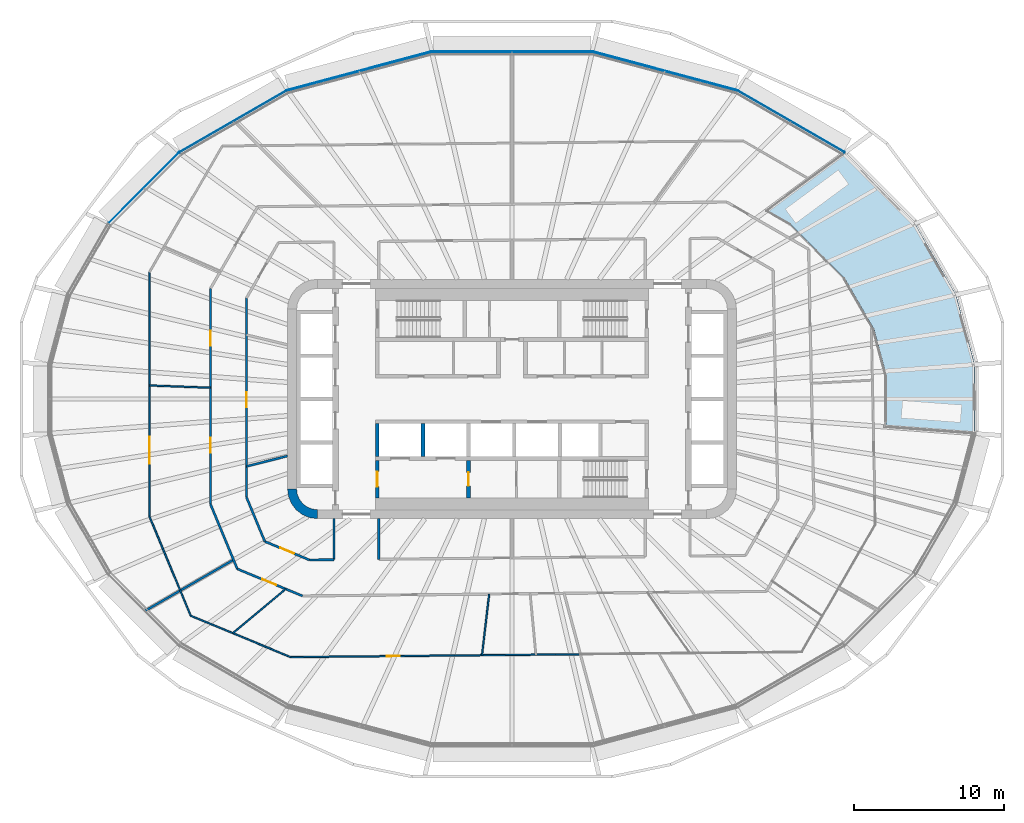
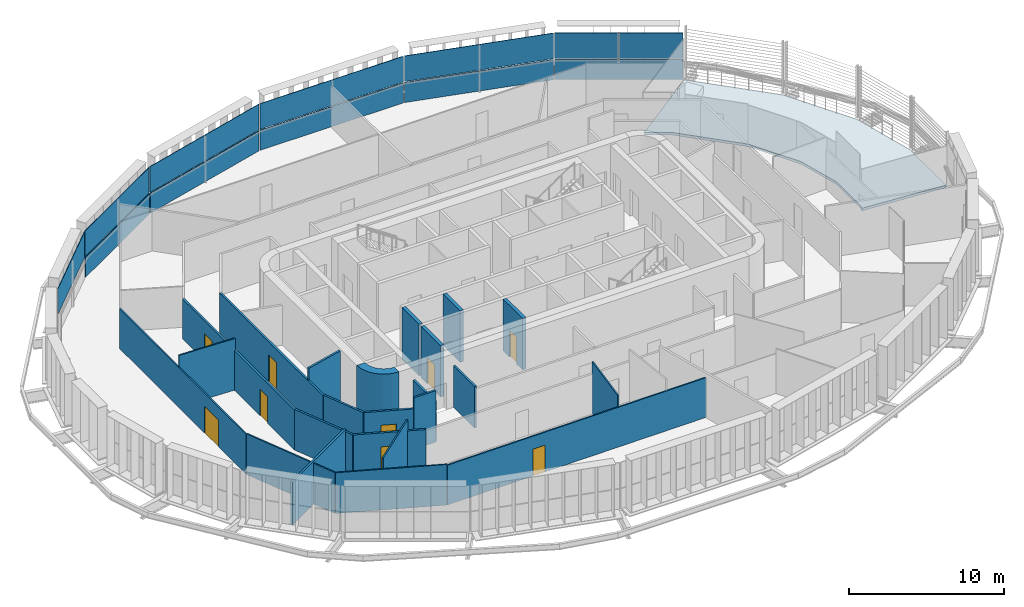
# One storey, part 12 of 24: 23 walls, 11 plates, 9 doors, 1 slab, 9 openings, 6 elements without a shape of their own.
"""IFC4 building model written with IfcOpenShell, lengths in metres."""

from ifc_helpers import new_model, si_unit, direction, frame, frame_2d, origin, place, context, subcontext, project, spatial, polyline, rectangle, outline, extrude, material, layer, layer_set, type_object, element, fill, aggregate, save


model = new_model("IFC4")

# Units and contexts
model_context = context("Model", 3, precision=1e-05, world=origin(), true_north=direction((0.0, 1.0)))
body_context = subcontext(model_context, "Body", "Model", "MODEL_VIEW")
ifc_project = project(units=[si_unit("LENGTHUNIT", "METRE"), si_unit("AREAUNIT", "SQUARE_METRE"), si_unit("VOLUMEUNIT", "CUBIC_METRE"), si_unit("PLANEANGLEUNIT", "RADIAN"), si_unit("MASSUNIT", "GRAM", prefix="KILO")], contexts=[model_context])

# Site, building, storey
site_placement = place(None, origin())
site = spatial("IfcSite", under=ifc_project, at=site_placement, CompositionType="ELEMENT")
building_placement = place(site_placement, origin())
building = spatial("IfcBuilding", under=site, at=building_placement, Name="Sahrelin Media Tower", CompositionType="ELEMENT")
storey_placement = place(building_placement, frame((0.0, 0.0, 67.199951171875)))
storey = spatial("IfcBuildingStorey", under=building, at=storey_placement, Name="L11", CompositionType="ELEMENT", Elevation=67.199951171875)

# Curtain wall, plate
ifc_material_1 = material(Name="Champagne anodised aluminium 6063-T6", Category="aluminium")
ifc_layer_1 = layer(ifc_material_1, 0.14990234375)
ifc_layer_set_1 = layer_set([ifc_layer_1], Name="Tower ribbon curtain wall")
curtain_wall_type = type_object("IfcCurtainWallType", Name="Tower ribbon curtain wall", PredefinedType="NOTDEFINED", material=ifc_layer_set_1)
curtain_wall_1_placement = place(storey_placement, frame((18.6416015625, 18.5498046875, 0.0), z_axis=(0.0, 0.0, 1.0), x_axis=(1.0, 0.0, 0.0)))
curtain_wall_1 = element("IfcCurtainWall", 1, at=curtain_wall_1_placement, inside=storey, type_object=curtain_wall_type, Name="L11:CW:L11-04", PredefinedType="NOTDEFINED")
ifc_material_2 = material(Name="Clear low-iron glazing", Category="glass")
ifc_layer_2 = layer(ifc_material_2, 0.0400390625)
ifc_layer_set_2 = layer_set([ifc_layer_2], Name="Glazing panel 40 mm CW1")
plate_type_1 = type_object("IfcPlateType", Name="Glazing panel 40 mm CW1", PredefinedType="CURTAIN_PANEL", material=ifc_layer_set_2)
plate_1_placement = place(storey_placement, frame((22.219482421875, 16.50732421875, 1.630126953125), z_axis=(0.50001741567, 0.866015348609, 0.0), x_axis=(-0.866015348609, 0.50001741567, 0.0)))
plate_1 = element("IfcPlate", 2, at=plate_1_placement, type_object=plate_type_1, Name="L11:CWP2:L11-04", PredefinedType="CURTAIN_PANEL", context=body_context, shape_type="SweptSolid", body=[
    extrude(outline(polyline([(0.0, 0.0), (8.239501953125, 0.0), (8.239501953125, 2.0185546875), (0.0, 2.0185546875), (0.0, 0.0)])), origin(), (0.0, 0.0, -1.0), 0.0400390625),
])

curtain_wall_2_placement = place(storey_placement, frame((10.200439453125, 21.928955078125, 0.0), z_axis=(0.0, 0.0, 1.0), x_axis=(1.0, 0.0, 0.0)))
curtain_wall_2 = element("IfcCurtainWall", 3, at=curtain_wall_2_placement, inside=storey, type_object=curtain_wall_type, Name="L11:CW:L11-05", PredefinedType="NOTDEFINED")
plate_2_placement = place(storey_placement, frame((14.987548828125, 20.6669921875, 1.630126953125), z_axis=(0.258810447315, 0.965928130018, 0.0), x_axis=(-0.965928130018, 0.258810447315, 0.0)))
plate_2 = element("IfcPlate", 4, at=plate_2_placement, type_object=plate_type_1, Name="L11:CWP2:L11-05", PredefinedType="CURTAIN_PANEL", context=body_context, shape_type="SweptSolid", body=[
    extrude(outline(polyline([(0.0, 0.0), (9.901123046875, 0.0), (9.901123046875, 2.0185546875), (0.0, 2.0185546875), (0.0, 0.0)])), origin(), (0.0, 0.0, -1.0), 0.0400390625),
])

curtain_wall_3_placement = place(storey_placement, frame((0.0, 23.22314453125, 0.0), z_axis=(0.0, 0.0, 1.0), x_axis=(1.0, 0.0, 0.0)))
curtain_wall_3 = element("IfcCurtainWall", 5, at=curtain_wall_3_placement, inside=storey, type_object=curtain_wall_type, Name="L11:CW:L11-06", PredefinedType="NOTDEFINED")
plate_3_placement = place(storey_placement, frame((5.3203125, 23.2431640625, 1.630126953125), z_axis=(0.0, 1.0, 0.0), x_axis=(-1.0, 0.0, 0.0)))
plate_3 = element("IfcPlate", 6, at=plate_3_placement, type_object=plate_type_1, Name="L11:CWP2:L11-06", PredefinedType="CURTAIN_PANEL", context=body_context, shape_type="SweptSolid", body=[
    extrude(outline(polyline([(0.0, 0.0), (10.640625, 0.0), (10.640625, 2.0185546875), (0.0, 2.0185546875), (0.0, 0.0)])), origin(), (0.0, 0.0, -1.0), 0.0400390625),
])

curtain_wall_4_placement = place(storey_placement, frame((-10.200439453125, 21.928955078125, 0.0), z_axis=(0.0, 0.0, 1.0), x_axis=(1.0, 0.0, 0.0)))
curtain_wall_4 = element("IfcCurtainWall", 7, at=curtain_wall_4_placement, inside=storey, type_object=curtain_wall_type, Name="L11:CW:L11-07", PredefinedType="NOTDEFINED")
plate_4_placement = place(storey_placement, frame((-5.423828125, 23.2294921875, 1.630126953125), z_axis=(-0.258810447315, 0.965928130018, 0.0), x_axis=(-0.965928130018, -0.258810447315, 0.0)))
plate_4 = element("IfcPlate", 8, at=plate_4_placement, type_object=plate_type_1, Name="L11:CWP2:L11-07", PredefinedType="CURTAIN_PANEL", context=body_context, shape_type="SweptSolid", body=[
    extrude(outline(polyline([(0.0, 0.0), (9.901123046875, 0.0), (9.901123046875, 2.0185546875), (0.0, 2.0185546875), (0.0, 0.0)])), origin(), (0.0, 0.0, -1.0), 0.0400390625),
])

curtain_wall_5_placement = place(storey_placement, frame((-18.6416015625, 18.5498046875, 0.0), z_axis=(0.0, 0.0, 1.0), x_axis=(1.0, 0.0, 0.0)))
curtain_wall_5 = element("IfcCurtainWall", 9, at=curtain_wall_5_placement, inside=storey, type_object=curtain_wall_type, Name="L11:CW:L11-08", PredefinedType="NOTDEFINED")
plate_5_placement = place(storey_placement, frame((-15.083984375, 20.627197265625, 1.630126953125), z_axis=(-0.50001741567, 0.866015348609, 0.0), x_axis=(-0.866015348609, -0.50001741567, 0.0)))
plate_5 = element("IfcPlate", 10, at=plate_5_placement, type_object=plate_type_1, Name="L11:CWP2:L11-08", PredefinedType="CURTAIN_PANEL", context=body_context, shape_type="SweptSolid", body=[
    extrude(outline(polyline([(0.0, 0.0), (8.239501953125, 0.0), (8.239501953125, 2.0185546875), (0.0, 2.0185546875), (0.0, 0.0)])), origin(), (0.0, 0.0, -1.0), 0.0400390625),
])

curtain_wall_6_placement = place(storey_placement, frame((-24.616455078125, 14.101318359375, 0.0), z_axis=(0.0, 0.0, 1.0), x_axis=(1.0, 0.0, 0.0)))
curtain_wall_6 = element("IfcCurtainWall", 11, at=curtain_wall_6_placement, inside=storey, type_object=curtain_wall_type, Name="L11:CW:L11-09", PredefinedType="NOTDEFINED")
plate_6_placement = place(storey_placement, frame((-22.30224609375, 16.44384765625, 1.630126953125), z_axis=(-0.707106781187, 0.707106781187, 0.0), x_axis=(-0.707106781187, -0.707106781187, 0.0)))
plate_6 = element("IfcPlate", 12, at=plate_6_placement, type_object=plate_type_1, Name="L11:CWP2:L11-09", PredefinedType="CURTAIN_PANEL", context=body_context, shape_type="SweptSolid", body=[
    extrude(outline(polyline([(0.0, 0.0), (6.585205078125, 0.0), (6.585205078125, 2.0185546875), (0.0, 2.0185546875), (0.0, 0.0)])), origin(), (0.0, 0.0, -1.0), 0.0400390625),
])
aggregate(curtain_wall_6, [plate_6])

# Slab
ifc_material_3 = material(Name="Concrete C40/50", Category="concrete")
ifc_layer_3 = layer(ifc_material_3, 0.199951171875)
ifc_layer_set_3 = layer_set([ifc_layer_3], Name="Sky garden terrace slab")
slab_type = type_object("IfcSlabType", Name="Sky garden terrace slab", PredefinedType="FLOOR", material=ifc_layer_set_3)
slab_placement = place(storey_placement, frame((0.0, 0.0, -0.199951171875)))
element("IfcSlab", 13, at=slab_placement, inside=storey, type_object=slab_type, Name="Sky garden terrace G1", PredefinedType="FLOOR", context=body_context, shape_type="SweptSolid", body=[
    extrude(outline(polyline([(29.682861328125, 6.956298828125), (30.9296875, 2.302734375), (30.9296875, -2.25537109375), (24.95361328125, -1.809814453125), (25.02978515625, -1.52587890625), (25.02978515625, 1.52587890625), (24.18505859375, 4.678955078125), (22.21875, 8.08447265625), (18.599365234375, 11.703857421875), (17.084228515625, 12.57861328125), (22.247802734375, 16.3994140625), (26.93994140625, 11.70703125), (29.682861328125, 6.956298828125)])), origin(), (0.0, 0.0, 1.0), 0.199951171875),
])

# Plate
ifc_material_4 = material(Name="Insulated spandrel panel")
ifc_layer_4 = layer(ifc_material_4, 0.06005859375)
ifc_layer_set_4 = layer_set([ifc_layer_4], Name="Spandrel panel 60 mm CW1")
plate_type_2 = type_object("IfcPlateType", Name="Spandrel panel 60 mm CW1", PredefinedType="SHEET", material=ifc_layer_set_4)
plate_7_placement = place(storey_placement, frame((22.219482421875, 16.50732421875, 0.0), z_axis=(0.50001741567, 0.866015348609, 0.0), x_axis=(-0.866015348609, 0.50001741567, 0.0)))
plate_7 = element("IfcPlate", 14, at=plate_7_placement, type_object=plate_type_2, Name="L11:CWP1:L11-04", PredefinedType="SHEET", context=body_context, shape_type="SweptSolid", body=[
    extrude(outline(polyline([(0.0, 0.0), (8.239501953125, 0.0), (8.239501953125, 1.570068359375), (0.0, 1.570068359375), (0.0, 0.0)])), origin(), (0.0, 0.0, -1.0), 0.06005859375),
])

aggregate(curtain_wall_1, [plate_7, plate_1])

plate_8_placement = place(storey_placement, frame((14.987548828125, 20.6669921875, 0.0), z_axis=(0.258810447315, 0.965928130018, 0.0), x_axis=(-0.965928130018, 0.258810447315, 0.0)))
plate_8 = element("IfcPlate", 15, at=plate_8_placement, type_object=plate_type_2, Name="L11:CWP1:L11-05", PredefinedType="SHEET", context=body_context, shape_type="SweptSolid", body=[
    extrude(outline(polyline([(0.0, 0.0), (9.901123046875, 0.0), (9.901123046875, 1.570068359375), (0.0, 1.570068359375), (0.0, 0.0)])), origin(), (0.0, 0.0, -1.0), 0.06005859375),
])

aggregate(curtain_wall_2, [plate_8, plate_2])

plate_9_placement = place(storey_placement, frame((5.3203125, 23.2431640625, 0.0), z_axis=(0.0, 1.0, 0.0), x_axis=(-1.0, 0.0, 0.0)))
plate_9 = element("IfcPlate", 16, at=plate_9_placement, type_object=plate_type_2, Name="L11:CWP1:L11-06", PredefinedType="SHEET", context=body_context, shape_type="SweptSolid", body=[
    extrude(outline(polyline([(0.0, 0.0), (10.640625, 0.0), (10.640625, 1.570068359375), (0.0, 1.570068359375), (0.0, 0.0)])), origin(), (0.0, 0.0, -1.0), 0.06005859375),
])

aggregate(curtain_wall_3, [plate_9, plate_3])

plate_10_placement = place(storey_placement, frame((-5.423828125, 23.2294921875, 0.0), z_axis=(-0.258810447315, 0.965928130018, 0.0), x_axis=(-0.965928130018, -0.258810447315, 0.0)))
plate_10 = element("IfcPlate", 17, at=plate_10_placement, type_object=plate_type_2, Name="L11:CWP1:L11-07", PredefinedType="SHEET", context=body_context, shape_type="SweptSolid", body=[
    extrude(outline(polyline([(0.0, 0.0), (9.901123046875, 0.0), (9.901123046875, 1.570068359375), (0.0, 1.570068359375), (0.0, 0.0)])), origin(), (0.0, 0.0, -1.0), 0.06005859375),
])

aggregate(curtain_wall_4, [plate_10, plate_4])

plate_11_placement = place(storey_placement, frame((-15.083984375, 20.627197265625, 0.0), z_axis=(-0.50001741567, 0.866015348609, 0.0), x_axis=(-0.866015348609, -0.50001741567, 0.0)))
plate_11 = element("IfcPlate", 18, at=plate_11_placement, type_object=plate_type_2, Name="L11:CWP1:L11-08", PredefinedType="SHEET", context=body_context, shape_type="SweptSolid", body=[
    extrude(outline(polyline([(0.0, 0.0), (8.239501953125, 0.0), (8.239501953125, 1.570068359375), (0.0, 1.570068359375), (0.0, 0.0)])), origin(), (0.0, 0.0, -1.0), 0.06005859375),
])

aggregate(curtain_wall_5, [plate_11, plate_5])

# Walls
ifc_material_5 = material(Name="Concrete C60/75", Category="concrete")
ifc_layer_5 = layer(ifc_material_5, 0.60009765625)
ifc_layer_set_5 = layer_set([ifc_layer_5], Name="Core wall 600")
wall_type_1 = type_object("IfcWallType", Name="Core wall 600", PredefinedType="SHEAR", material=ifc_layer_set_5)
wall_1_placement = place(storey_placement, origin())
element("IfcWall", 19, at=wall_1_placement, inside=storey, type_object=wall_type_1, Name="Core wall corner SW L11", PredefinedType="SHEAR", context=body_context, shape_type="SweptSolid", body=[
    extrude(outline(polyline([(-13.0, -8.0), (-13.0, -7.394775390625), (-13.361083984375, -7.347412109375), (-13.697509765625, -7.2080078125), (-13.986328125, -6.986328125), (-14.2080078125, -6.697509765625), (-14.347412109375, -6.361083984375), (-14.394775390625, -6.0), (-15.0, -6.0), (-14.931884765625, -6.517578125), (-14.732177734375, -7.0), (-14.414306640625, -7.414306640625), (-14.0, -7.732177734375), (-13.517578125, -7.931884765625), (-13.0, -8.0)])), origin(), (0.0, 0.0, 1.0), 4.199951171875),
])
ifc_material_6 = material(Name="Fire-rated gypsum board partition")
ifc_layer_6 = layer(ifc_material_6, 0.14990234375)
ifc_layer_set_6 = layer_set([ifc_layer_6], Name="Fire-rated partition 150")
wall_type_2 = type_object("IfcWallType", Name="Fire-rated partition 150", PredefinedType="PARTITIONING", material=ifc_layer_set_6)
wall_2_placement = place(storey_placement, frame((-20.14990234375, -7.02490234375, 0.0), z_axis=(0.0, 0.0, 1.0), x_axis=(0.382713655067, -0.923867013279, 0.0)))
element("IfcWall", 20, at=wall_2_placement, inside=storey, type_object=wall_type_2, Name="Wall", PredefinedType="PARTITIONING", context=body_context, shape_type="SweptSolid", body=[
    extrude(rectangle(XDim=4.6875, YDim=0.14990234375, at=frame_2d((2.34375, 0.0))), origin(), (0.0, 0.0, 1.0), 3.195068359375),
])
wall_3_placement = place(storey_placement, frame((-17.75, -6.547119140625, 0.0), z_axis=(0.0, 0.0, 1.0), x_axis=(0.382760687394, -0.923847528646, 0.0)))
element("IfcWall", 21, at=wall_3_placement, inside=storey, type_object=wall_type_2, Name="Wall", PredefinedType="PARTITIONING", context=body_context, shape_type="SweptSolid", body=[
    extrude(rectangle(XDim=3.216552734375, YDim=0.14990234375, at=frame_2d((1.6083984375, 0.0))), origin(), (0.0, 0.0, 1.0), 3.195068359375),
])

# Wall, opening, door
wall_4_placement = place(storey_placement, frame((-18.35498046875, -11.35498046875, 0.0), z_axis=(0.0, 0.0, 1.0), x_axis=(0.923864073191, -0.382720752334, 0.0)))
wall_4 = element("IfcWall", 22, at=wall_4_placement, inside=storey, type_object=wall_type_2, Name="Wall", PredefinedType="PARTITIONING", context=body_context, shape_type="SweptSolid", body=[
    extrude(rectangle(XDim=4.714111328125, YDim=0.14990234375, at=frame_2d((2.35693359375, 0.0))), origin(), (0.0, 0.0, 1.0), 3.195068359375),
])
opening_1_placement = place(wall_4_placement, frame((1.810302734375, 0.0, 0.0)))
opening_1 = element("IfcOpeningElement", 23, at=opening_1_placement, cuts=wall_4, Name="Opening L11-D37", PredefinedType="OPENING", context=body_context, shape_type="SweptSolid", body=[
    extrude(rectangle(XDim=1.0, YDim=2.10009765625, at=frame_2d((0.5, 1.050048828125))), frame((0.0, 0.074951171875, 0.0), z_axis=(0.0, -1.0, 0.0), x_axis=(1.0, 0.0, 0.0)), (0.0, 0.0, 1.0), 0.14990234375),
])
ifc_material_7 = material(Name="Steel fire door leaf", Category="steel")
door_type_1 = type_object("IfcDoorType", Name="Fire door 1000 x 2100 EI 60", OperationType="NOTDEFINED", PredefinedType="DOOR", material=ifc_material_7)
door_1_placement = place(opening_1_placement, origin())
door_1 = element("IfcDoor", 24, at=door_1_placement, inside=storey, type_object=door_type_1, Name="Fire door", OperationType="SINGLE_SWING_LEFT", OverallHeight=2.10009765625, OverallWidth=1.0, PredefinedType="DOOR", context=body_context, shape_type="SweptSolid", body=[
    extrude(rectangle(XDim=1.0, YDim=2.10009765625, at=frame_2d((0.5, 1.050048828125))), frame((0.0, 0.02490234375, 0.0), z_axis=(0.0, -1.0, 0.0), x_axis=(1.0, 0.0, 0.0)), (0.0, 0.0, 1.0), 0.050048828125),
])
fill(opening_1, door_1)

wall_5_placement = place(storey_placement, frame((-16.51904296875, -9.51904296875, 0.0), z_axis=(0.0, 0.0, 1.0), x_axis=(0.92385749043, -0.382736642322, 0.0)))
wall_5 = element("IfcWall", 25, at=wall_5_placement, inside=storey, type_object=wall_type_2, Name="Wall", PredefinedType="PARTITIONING", context=body_context, shape_type="SweptSolid", body=[
    extrude(rectangle(XDim=3.23095703125, YDim=0.14990234375, at=frame_2d((1.615478515625, 0.0))), origin(), (0.0, 0.0, 1.0), 3.195068359375),
])
opening_2_placement = place(wall_5_placement, frame((1.11279296875, 0.0, 0.0)))
opening_2 = element("IfcOpeningElement", 26, at=opening_2_placement, cuts=wall_5, Name="Opening L11-D32", PredefinedType="OPENING", context=body_context, shape_type="SweptSolid", body=[
    extrude(rectangle(XDim=1.0, YDim=2.10009765625, at=frame_2d((0.5, 1.050048828125))), frame((0.0, 0.074951171875, 0.0), z_axis=(0.0, -1.0, 0.0), x_axis=(1.0, 0.0, 0.0)), (0.0, 0.0, 1.0), 0.14990234375),
])
door_2_placement = place(opening_2_placement, origin())
door_2 = element("IfcDoor", 27, at=door_2_placement, inside=storey, type_object=door_type_1, Name="Fire door", OperationType="SINGLE_SWING_RIGHT", OverallHeight=2.10009765625, OverallWidth=1.0, PredefinedType="DOOR", context=body_context, shape_type="SweptSolid", body=[
    extrude(rectangle(XDim=1.0, YDim=2.10009765625, at=frame_2d((0.5, 1.050048828125))), frame((0.0, 0.02490234375, 0.0), z_axis=(0.0, -1.0, 0.0), x_axis=(1.0, 0.0, 0.0)), (0.0, 0.0, 1.0), 0.050048828125),
])
fill(opening_2, door_2)

# Walls
wall_6_placement = place(storey_placement, frame((-13.533935546875, -10.7548828125, 0.0), z_axis=(0.0, 0.0, 1.0), x_axis=(0.999951383403, 0.009860569446, 0.0)))
element("IfcWall", 28, at=wall_6_placement, inside=storey, type_object=wall_type_2, Name="Wall", PredefinedType="PARTITIONING", context=body_context, shape_type="SweptSolid", body=[
    extrude(rectangle(XDim=1.634033203125, YDim=0.14990234375, at=frame_2d((0.81689453125, 0.0))), origin(), (0.0, 0.0, 1.0), 4.050048828125),
])
wall_7_placement = place(storey_placement, frame((-17.75, -4.5048828125, 0.0), z_axis=(0.0, 0.0, 1.0), x_axis=(0.969332355751, 0.24575350271, 0.0)))
element("IfcWall", 29, at=wall_7_placement, inside=storey, type_object=wall_type_2, Name="Wall", PredefinedType="PARTITIONING", context=body_context, shape_type="SweptSolid", body=[
    extrude(rectangle(XDim=2.837158203125, YDim=0.14990234375, at=frame_2d((1.41845703125, 0.0))), origin(), (0.0, 0.0, 1.0), 4.050048828125),
])
wall_8_placement = place(storey_placement, frame((-24.5458984375, -14.172119140625, 0.0), z_axis=(0.0, 0.0, 1.0), x_axis=(0.866030233461, 0.499991634662, 0.0)))
element("IfcWall", 30, at=wall_8_placement, inside=storey, type_object=wall_type_2, Name="Wall", PredefinedType="PARTITIONING", context=body_context, shape_type="SweptSolid", body=[
    extrude(rectangle(XDim=6.8564453125, YDim=0.14990234375, at=frame_2d((3.42822265625, 0.0))), origin(), (0.0, 0.0, 1.0), 3.352294921875),
])
wall_9_placement = place(storey_placement, frame((-8.89990234375, -10.708984375, 0.0), z_axis=(0.0, 0.0, 1.0), x_axis=(0.0, 1.0, 0.0)))
element("IfcWall", 31, at=wall_9_placement, inside=storey, type_object=wall_type_2, Name="Wall", PredefinedType="PARTITIONING", context=body_context, shape_type="SweptSolid", body=[
    extrude(rectangle(XDim=2.708984375, YDim=0.14990234375, at=frame_2d((1.3544921875, 0.0))), origin(), (0.0, 0.0, 1.0), 3.276123046875),
])
wall_10_placement = place(storey_placement, frame((-11.89990234375, -10.739013671875, 0.0), z_axis=(0.0, 0.0, 1.0), x_axis=(0.0, 1.0, 0.0)))
element("IfcWall", 32, at=wall_10_placement, inside=storey, type_object=wall_type_2, Name="Wall", PredefinedType="PARTITIONING", context=body_context, shape_type="SweptSolid", body=[
    extrude(rectangle(XDim=2.739013671875, YDim=0.14990234375, at=frame_2d((1.36962890625, 0.0))), origin(), (0.0, 0.0, 1.0), 3.195068359375),
])

# Wall, opening, door
wall_11_placement = place(storey_placement, frame((-17.75, -6.547119140625, 0.0), z_axis=(0.0, 0.0, 1.0), x_axis=(0.0, 1.0, 0.0)))
wall_11 = element("IfcWall", 33, at=wall_11_placement, inside=storey, type_object=wall_type_2, Name="Wall", PredefinedType="PARTITIONING", context=body_context, shape_type="SweptSolid", body=[
    extrude(rectangle(XDim=13.2841796875, YDim=0.14990234375, at=frame_2d((6.64208984375, 0.0))), origin(), (0.0, 0.0, 1.0), 3.126953125),
])
opening_3_placement = place(wall_11_placement, frame((5.9892578125, 0.0, 0.0)))
opening_3 = element("IfcOpeningElement", 34, at=opening_3_placement, cuts=wall_11, Name="Opening L11-D31", PredefinedType="OPENING", context=body_context, shape_type="SweptSolid", body=[
    extrude(rectangle(XDim=1.0, YDim=2.10009765625, at=frame_2d((0.5, 1.050048828125))), frame((0.0, 0.074951171875, 0.0), z_axis=(0.0, -1.0, 0.0), x_axis=(1.0, 0.0, 0.0)), (0.0, 0.0, 1.0), 0.14990234375),
])
door_3_placement = place(opening_3_placement, origin())
door_3 = element("IfcDoor", 35, at=door_3_placement, inside=storey, type_object=door_type_1, Name="Fire door", OperationType="SINGLE_SWING_LEFT", OverallHeight=2.10009765625, OverallWidth=1.0, PredefinedType="DOOR", context=body_context, shape_type="SweptSolid", body=[
    extrude(rectangle(XDim=1.0, YDim=2.10009765625, at=frame_2d((0.5, 1.050048828125))), frame((0.0, 0.02490234375, 0.0), z_axis=(0.0, -1.0, 0.0), x_axis=(1.0, 0.0, 0.0)), (0.0, 0.0, 1.0), 0.050048828125),
])
fill(opening_3, door_3)

# Wall, openings, doors
wall_12_placement = place(storey_placement, frame((-20.14990234375, -7.02490234375, 0.0), z_axis=(0.0, 0.0, 1.0), x_axis=(0.0, 1.0, 0.0)))
wall_12 = element("IfcWall", 36, at=wall_12_placement, inside=storey, type_object=wall_type_2, Name="Wall", PredefinedType="PARTITIONING", context=body_context, shape_type="SweptSolid", body=[
    extrude(rectangle(XDim=14.40478515625, YDim=0.14990234375, at=frame_2d((7.202392578125, 0.0))), origin(), (0.0, 0.0, 1.0), 3.126953125),
])
opening_4_placement = place(wall_12_placement, frame((10.592041015625, 0.0, 0.0)))
opening_4 = element("IfcOpeningElement", 37, at=opening_4_placement, cuts=wall_12, Name="Opening L11-D34", PredefinedType="OPENING", context=body_context, shape_type="SweptSolid", body=[
    extrude(rectangle(XDim=1.0, YDim=2.10009765625, at=frame_2d((0.5, 1.050048828125))), frame((0.0, 0.074951171875, 0.0), z_axis=(0.0, -1.0, 0.0), x_axis=(1.0, 0.0, 0.0)), (0.0, 0.0, 1.0), 0.14990234375),
])
opening_5_placement = place(wall_12_placement, frame((3.440185546875, 0.0, 0.0)))
opening_5 = element("IfcOpeningElement", 38, at=opening_5_placement, cuts=wall_12, Name="Opening L11-D35", PredefinedType="OPENING", context=body_context, shape_type="SweptSolid", body=[
    extrude(rectangle(XDim=1.0, YDim=2.10009765625, at=frame_2d((0.5, 1.050048828125))), frame((0.0, 0.074951171875, 0.0), z_axis=(0.0, -1.0, 0.0), x_axis=(1.0, 0.0, 0.0)), (0.0, 0.0, 1.0), 0.14990234375),
])
door_4_placement = place(opening_4_placement, origin())
door_4 = element("IfcDoor", 39, at=door_4_placement, inside=storey, type_object=door_type_1, Name="Fire door", OperationType="SINGLE_SWING_LEFT", OverallHeight=2.10009765625, OverallWidth=1.0, PredefinedType="DOOR", context=body_context, shape_type="SweptSolid", body=[
    extrude(rectangle(XDim=1.0, YDim=2.10009765625, at=frame_2d((0.5, 1.050048828125))), frame((0.0, 0.02490234375, 0.0), z_axis=(0.0, -1.0, 0.0), x_axis=(1.0, 0.0, 0.0)), (0.0, 0.0, 1.0), 0.050048828125),
])
fill(opening_4, door_4)
door_5_placement = place(opening_5_placement, origin())
door_5 = element("IfcDoor", 40, at=door_5_placement, inside=storey, type_object=door_type_1, Name="Fire door", OperationType="SINGLE_SWING_RIGHT", OverallHeight=2.10009765625, OverallWidth=1.0, PredefinedType="DOOR", context=body_context, shape_type="SweptSolid", body=[
    extrude(rectangle(XDim=1.0, YDim=2.10009765625, at=frame_2d((0.5, 1.050048828125))), frame((0.0, 0.02490234375, 0.0), z_axis=(0.0, -1.0, 0.0), x_axis=(1.0, 0.0, 0.0)), (0.0, 0.0, 1.0), 0.050048828125),
])
fill(opening_5, door_5)

# Wall, opening, door
ifc_layer_7 = layer(ifc_material_6, 0.25)
ifc_layer_set_7 = layer_set([ifc_layer_7], Name="Firefighting lobby wall 250")
wall_type_3 = type_object("IfcWallType", Name="Firefighting lobby wall 250", PredefinedType="PARTITIONING", material=ifc_layer_set_7)
wall_13_placement = place(storey_placement, frame((-9.0, -6.60009765625, 0.0), z_axis=(0.0, 0.0, 1.0), x_axis=(0.0, 1.0, 0.0)))
wall_13 = element("IfcWall", 41, at=wall_13_placement, inside=storey, type_object=wall_type_3, Name="Core wall", PredefinedType="PARTITIONING", context=body_context, shape_type="SweptSolid", body=[
    extrude(rectangle(XDim=2.5, YDim=0.25, at=frame_2d((1.25, 0.0))), origin(), (0.0, 0.0, 1.0), 4.050048828125),
])
opening_6_placement = place(wall_13_placement, frame((0.75, 0.0, 0.0)))
opening_6 = element("IfcOpeningElement", 42, at=opening_6_placement, cuts=wall_13, Name="Opening L11-D04", PredefinedType="OPENING", context=body_context, shape_type="SweptSolid", body=[
    extrude(rectangle(XDim=1.0, YDim=2.10009765625, at=frame_2d((0.5, 1.050048828125))), frame((0.0, 0.125, 0.0), z_axis=(0.0, -1.0, 0.0), x_axis=(1.0, 0.0, 0.0)), (0.0, 0.0, 1.0), 0.25),
])
door_type_2 = type_object("IfcDoorType", Name="Firefighting lobby door 1000 x 2100 EI 120", OperationType="NOTDEFINED", PredefinedType="DOOR", material=ifc_material_7)
door_6_placement = place(opening_6_placement, origin())
door_6 = element("IfcDoor", 43, at=door_6_placement, inside=storey, type_object=door_type_2, Name="Firefighting lobby door", OperationType="SINGLE_SWING_LEFT", OverallHeight=2.10009765625, OverallWidth=1.0, PredefinedType="DOOR", context=body_context, shape_type="SweptSolid", body=[
    extrude(rectangle(XDim=1.0, YDim=2.10009765625, at=frame_2d((0.5, 1.050048828125))), frame((0.0, 0.02490234375, 0.0), z_axis=(0.0, -1.0, 0.0), x_axis=(1.0, 0.0, 0.0)), (0.0, 0.0, 1.0), 0.050048828125),
])
fill(opening_6, door_6)

wall_14_placement = place(storey_placement, frame((-2.89990234375, -6.60009765625, 0.0), z_axis=(0.0, 0.0, 1.0), x_axis=(0.0, 1.0, 0.0)))
wall_14 = element("IfcWall", 44, at=wall_14_placement, inside=storey, type_object=wall_type_3, Name="Core wall", PredefinedType="PARTITIONING", context=body_context, shape_type="SweptSolid", body=[
    extrude(rectangle(XDim=2.5, YDim=0.25, at=frame_2d((1.25, 0.0))), origin(), (0.0, 0.0, 1.0), 4.050048828125),
])
opening_7_placement = place(wall_14_placement, frame((0.800048828125, 0.0, 0.0)))
opening_7 = element("IfcOpeningElement", 45, at=opening_7_placement, cuts=wall_14, Name="Opening L11-D05", PredefinedType="OPENING", context=body_context, shape_type="SweptSolid", body=[
    extrude(rectangle(XDim=0.89990234375, YDim=2.10009765625, at=frame_2d((0.449951171875, 1.050048828125))), frame((0.0, 0.125, 0.0), z_axis=(0.0, -1.0, 0.0), x_axis=(1.0, 0.0, 0.0)), (0.0, 0.0, 1.0), 0.25),
])
door_type_3 = type_object("IfcDoorType", Name="Firefighting lobby door 900 x 2100 EI 120", OperationType="NOTDEFINED", PredefinedType="DOOR", material=ifc_material_7)
door_7_placement = place(opening_7_placement, origin())
door_7 = element("IfcDoor", 46, at=door_7_placement, inside=storey, type_object=door_type_3, Name="Riser door", OperationType="SINGLE_SWING_RIGHT", OverallHeight=2.10009765625, OverallWidth=0.89990234375, PredefinedType="DOOR", context=body_context, shape_type="SweptSolid", body=[
    extrude(rectangle(XDim=0.89990234375, YDim=2.10009765625, at=frame_2d((0.449951171875, 1.050048828125))), frame((0.0, 0.02490234375, 0.0), z_axis=(0.0, -1.0, 0.0), x_axis=(1.0, 0.0, 0.0)), (0.0, 0.0, 1.0), 0.050048828125),
])
fill(opening_7, door_7)

# Walls
ifc_layer_8 = layer(ifc_material_5, 0.25)
ifc_layer_set_8 = layer_set([ifc_layer_8], Name="Lift shaft wall 250")
wall_type_4 = type_object("IfcWallType", Name="Lift shaft wall 250", PredefinedType="SOLIDWALL", material=ifc_layer_set_8)
for number, where, z_axis, x_axis, name in (
    (47, (-9.0, -3.85009765625, 0.0), (0.0, 0.0, 1.0), (0.0, 1.0, 0.0), "Lift shaft wall"),
    (48, (-5.949951171875, -3.85009765625, 0.0), (0.0, 0.0, 1.0), (0.0, 1.0, 0.0), "Lift shaft wall"),
):
    element("IfcWall", number, at=place(storey_placement, frame(where, z_axis=z_axis, x_axis=x_axis)), inside=storey, type_object=wall_type_4, Name=name, PredefinedType="SOLIDWALL", context=body_context, shape_type="SweptSolid", body=[
        extrude(rectangle(XDim=2.2001953125, YDim=0.25, at=frame_2d((1.10009765625, 0.0))), origin(), (0.0, 0.0, 1.0), 4.050048828125),
    ])
ifc_material_8 = material(Name="Gypsum board partition")
ifc_layer_9 = layer(ifc_material_8, 0.10009765625)
ifc_layer_set_9 = layer_set([ifc_layer_9], Name="Partition 100")
wall_type_5 = type_object("IfcWallType", Name="Partition 100", PredefinedType="PARTITIONING", material=ifc_layer_set_9)
wall_15_placement = place(storey_placement, frame((-24.22998046875, -7.8369140625, 0.0), z_axis=(0.0, 0.0, 1.0), x_axis=(0.383020677741, -0.923739768779, 0.0)))
element("IfcWall", 49, at=wall_15_placement, inside=storey, type_object=wall_type_5, Name="Wall", PredefinedType="PARTITIONING", context=body_context, shape_type="SweptSolid", body=[
    extrude(rectangle(XDim=7.18798828125, YDim=0.10009765625, at=frame_2d((3.593994140625, 0.0))), origin(), (0.0, 0.0, 1.0), 3.195068359375),
])
wall_16_placement = place(storey_placement, frame((-21.47705078125, -14.47705078125, 0.0), z_axis=(0.0, 0.0, 1.0), x_axis=(0.923776176895, -0.382932859653, 0.0)))
element("IfcWall", 50, at=wall_16_placement, inside=storey, type_object=wall_type_5, Name="Wall", PredefinedType="PARTITIONING", context=body_context, shape_type="SweptSolid", body=[
    extrude(rectangle(XDim=7.235595703125, YDim=0.10009765625, at=frame_2d((3.61767578125, 0.0))), origin(), (0.0, 0.0, 1.0), 3.195068359375),
])
wall_17_placement = place(storey_placement, frame((-24.22998046875, 0.906005859375, 0.0), z_axis=(0.0, 0.0, 1.0), x_axis=(0.99930587629, -0.03725272624, 0.0)))
element("IfcWall", 51, at=wall_17_placement, inside=storey, type_object=wall_type_5, Name="Wall", PredefinedType="PARTITIONING", context=body_context, shape_type="SweptSolid", body=[
    extrude(rectangle(XDim=4.0830078125, YDim=0.10009765625, at=frame_2d((2.04150390625, 0.0))), origin(), (0.0, 0.0, 1.0), 4.050048828125),
])

# Wall, opening, door
wall_18_placement = place(storey_placement, frame((-14.79296875, -17.247802734375, 0.0), z_axis=(0.0, 0.0, 1.0), x_axis=(0.99995089607, 0.009909866277, 0.0)))
wall_18 = element("IfcWall", 52, at=wall_18_placement, inside=storey, type_object=wall_type_5, Name="Wall", PredefinedType="PARTITIONING", context=body_context, shape_type="SweptSolid", body=[
    extrude(rectangle(XDim=19.364013671875, YDim=0.10009765625, at=frame_2d((9.68212890625, 0.0))), origin(), (0.0, 0.0, 1.0), 3.126953125),
])
opening_8_placement = place(wall_18_placement, frame((6.40869140625, 0.0, 0.0)))
opening_8 = element("IfcOpeningElement", 53, at=opening_8_placement, cuts=wall_18, Name="Opening L11-D41", PredefinedType="OPENING", context=body_context, shape_type="SweptSolid", body=[
    extrude(rectangle(XDim=0.89990234375, YDim=2.10009765625, at=frame_2d((0.449951171875, 1.050048828125))), frame((0.0, 0.050048828125, 0.0), z_axis=(0.0, -1.0, 0.0), x_axis=(1.0, 0.0, 0.0)), (0.0, 0.0, 1.0), 0.10009765625),
])
ifc_material_9 = material(Name="Timber door leaf", Category="wood")
door_type_4 = type_object("IfcDoorType", Name="Single door 900 x 2100", OperationType="NOTDEFINED", PredefinedType="DOOR", material=ifc_material_9)
door_8_placement = place(opening_8_placement, origin())
door_8 = element("IfcDoor", 54, at=door_8_placement, inside=storey, type_object=door_type_4, Name="Single door", OperationType="SINGLE_SWING_LEFT", OverallHeight=2.10009765625, OverallWidth=0.89990234375, PredefinedType="DOOR", context=body_context, shape_type="SweptSolid", body=[
    extrude(rectangle(XDim=0.89990234375, YDim=2.10009765625, at=frame_2d((0.449951171875, 1.050048828125))), frame((0.0, 0.02490234375, 0.0), z_axis=(0.0, -1.0, 0.0), x_axis=(1.0, 0.0, 0.0)), (0.0, 0.0, 1.0), 0.050048828125),
])
fill(opening_8, door_8)

# Walls
wall_19_placement = place(storey_placement, frame((-18.64697265625, -15.64990234375, 0.0), z_axis=(0.0, 0.0, 1.0), x_axis=(0.765988260728, 0.642854559312, 0.0)))
element("IfcWall", 55, at=wall_19_placement, inside=storey, type_object=wall_type_5, Name="Wall", PredefinedType="PARTITIONING", context=body_context, shape_type="SweptSolid", body=[
    extrude(rectangle(XDim=4.597900390625, YDim=0.10009765625, at=frame_2d((2.298828125, 0.0))), origin(), (0.0, 0.0, 1.0), 4.050048828125),
])
wall_20_placement = place(storey_placement, frame((-2.0048828125, -17.12109375, 0.0), z_axis=(0.0, 0.0, 1.0), x_axis=(0.116489865453, 0.993191880377, 0.0)))
element("IfcWall", 56, at=wall_20_placement, inside=storey, type_object=wall_type_5, Name="Wall", PredefinedType="PARTITIONING", context=body_context, shape_type="SweptSolid", body=[
    extrude(rectangle(XDim=4.112060546875, YDim=0.10009765625, at=frame_2d((2.05615234375, 0.0))), origin(), (0.0, 0.0, 1.0), 4.050048828125),
])

# Wall, opening, door
wall_21_placement = place(storey_placement, frame((-24.22998046875, -7.8369140625, 0.0), z_axis=(0.0, 0.0, 1.0), x_axis=(0.0, 1.0, 0.0)))
wall_21 = element("IfcWall", 57, at=wall_21_placement, inside=storey, type_object=wall_type_5, Name="Wall", PredefinedType="PARTITIONING", context=body_context, shape_type="SweptSolid", body=[
    extrude(rectangle(XDim=16.309814453125, YDim=0.10009765625, at=frame_2d((8.15478515625, 0.0))), origin(), (0.0, 0.0, 1.0), 3.126953125),
])
opening_9_placement = place(wall_21_placement, frame((3.52197265625, 0.0, 0.0)))
opening_9 = element("IfcOpeningElement", 58, at=opening_9_placement, cuts=wall_21, Name="Opening L11-D36", PredefinedType="OPENING", context=body_context, shape_type="SweptSolid", body=[
    extrude(rectangle(XDim=1.800048828125, YDim=2.10009765625, at=frame_2d((0.89990234375, 1.050048828125))), frame((0.0, 0.050048828125, 0.0), z_axis=(0.0, -1.0, 0.0), x_axis=(1.0, 0.0, 0.0)), (0.0, 0.0, 1.0), 0.10009765625),
])
door_type_5 = type_object("IfcDoorType", Name="Double door 1800 x 2100", OperationType="DOUBLE_DOOR_SINGLE_SWING", PredefinedType="DOOR", material=ifc_material_9)
door_9_placement = place(opening_9_placement, origin())
door_9 = element("IfcDoor", 59, at=door_9_placement, inside=storey, type_object=door_type_5, Name="Double door", OperationType="DOUBLE_DOOR_SINGLE_SWING", OverallHeight=2.10009765625, OverallWidth=1.800048828125, PredefinedType="DOOR", context=body_context, shape_type="SweptSolid", body=[
    extrude(rectangle(XDim=1.800048828125, YDim=2.10009765625, at=frame_2d((0.89990234375, 1.050048828125))), frame((0.0, 0.02490234375, 0.0), z_axis=(0.0, -1.0, 0.0), x_axis=(1.0, 0.0, 0.0)), (0.0, 0.0, 1.0), 0.050048828125),
])
fill(opening_9, door_9)

save(model, "model.ifc")
